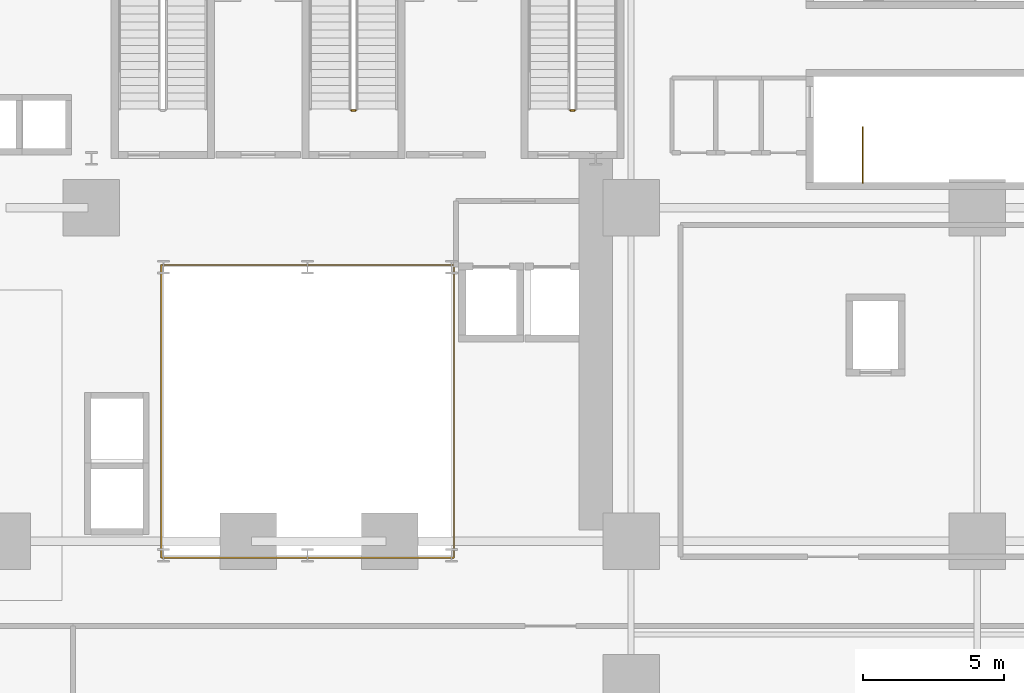
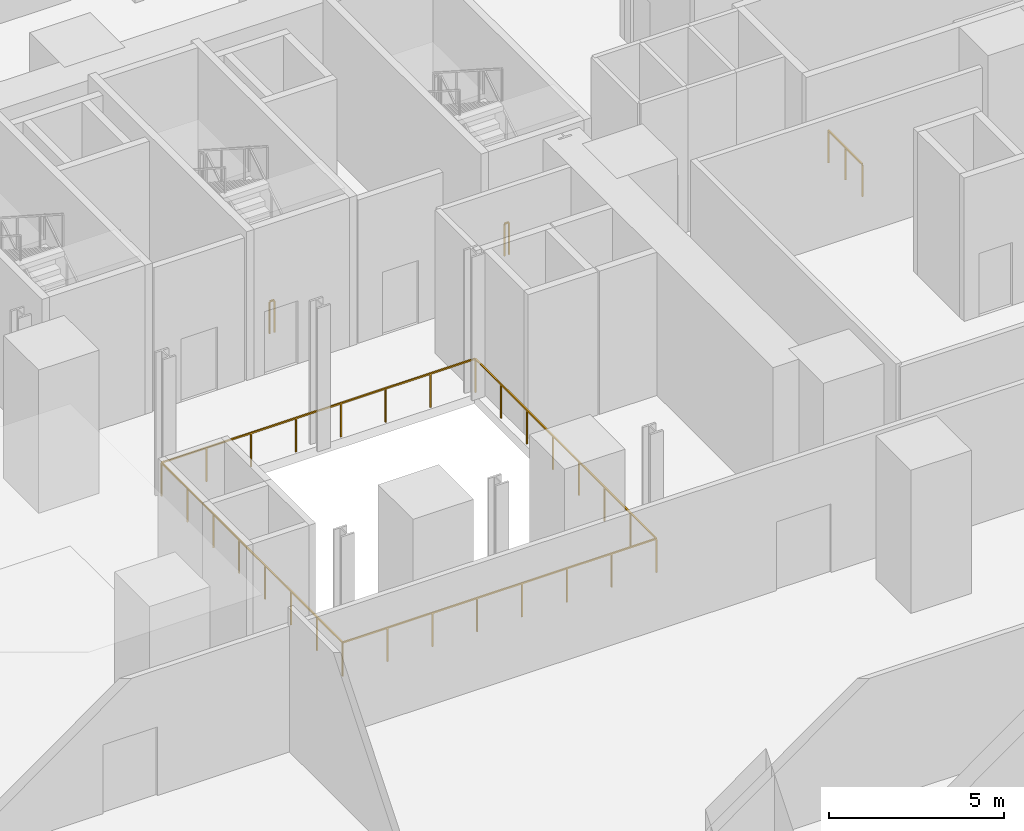
# One storey, part 13 of 15: 4 railings.
"""IFC4 building model written with IfcOpenShell, lengths in metres."""

from ifc_helpers import new_model, si_unit, direction, frame, origin, origin_2d, place, context, subcontext, project, spatial, rectangle, extrude, source, transform, mapped, material, type_object, element, save


model = new_model("IFC4")

# Units and contexts
model_context = context("Model", 3, precision=1e-05, world=origin(), true_north=direction((0.0, 1.0)))
body_context = subcontext(model_context, "Body", "Model", "MODEL_VIEW")
ifc_project = project(units=[si_unit("LENGTHUNIT", "METRE"), si_unit("AREAUNIT", "SQUARE_METRE"), si_unit("VOLUMEUNIT", "CUBIC_METRE"), si_unit("PLANEANGLEUNIT", "RADIAN"), si_unit("MASSUNIT", "GRAM", prefix="KILO")], contexts=[model_context])

# Site, building, storey
site_placement = place(None, origin())
site = spatial("IfcSite", under=ifc_project, at=site_placement, CompositionType="ELEMENT")
building_placement = place(site_placement, origin())
building = spatial("IfcBuilding", under=site, at=building_placement, Name="Vardaveli Station Tower", CompositionType="ELEMENT")
storey_placement = place(building_placement, frame((0.0, 0.0, 6.0)))
storey = spatial("IfcBuildingStorey", under=building, at=storey_placement, Name="L02", CompositionType="ELEMENT", Elevation=6.0)

# Railings
ifc_material_1 = material(Name="Brushed AISI 316 stainless steel", Category="steel")
railing_type_1 = type_object("IfcRailingType", Name="RL-GUARD-1150", PredefinedType="GUARDRAIL", material=ifc_material_1)
shared_shape_1 = source(origin(), body_context, "Body", "SweptSolid", [
    extrude(rectangle(XDim=0.048095703125, YDim=0.048095703125, at=origin_2d()), frame((0.0, 0.0, 1.1259765625), z_axis=(-1.0, 0.0, 0.0), x_axis=(0.0, -1.0, 0.0)), (0.0, 0.0, 1.0), 0.14990234375),
    extrude(rectangle(XDim=0.0419921875, YDim=0.0419921875, at=origin_2d()), origin(), (0.0, 0.0, 1.0), 1.101806640625),
    extrude(rectangle(XDim=0.0419921875, YDim=0.0419921875, at=origin_2d()), frame((-0.14990234375, 0.0, 0.0)), (0.0, 0.0, 1.0), 1.101806640625),
])
for number, where, name in (
    (1, (38.0, 32.35009765625, 0.0), "L02 ST-2 stair guard 4"),
    (2, (45.75, 32.35009765625, 0.0), "L02 ST-3 stair guard 4"),
):
    element("IfcRailing", number, at=place(storey_placement, frame(where)), inside=storey, type_object=railing_type_1, Name=name, PredefinedType="GUARDRAIL", context=body_context, shape_type="MappedRepresentation", body=[
        mapped(shared_shape_1, transform((0.0, 0.0, 0.0), scale=1.0)),
    ])
shared_shape_2 = source(origin(), body_context, "Body", "SweptSolid", [
    extrude(rectangle(XDim=0.048095703125, YDim=0.048095703125, at=origin_2d()), frame((0.0, 0.0, 1.1259765625), z_axis=(0.0, 1.0, 0.0), x_axis=(-1.0, 0.0, 0.0)), (0.0, 0.0, 1.0), 1.949951171875),
    extrude(rectangle(XDim=0.0419921875, YDim=0.0419921875, at=origin_2d()), origin(), (0.0, 0.0, 1.0), 1.101806640625),
    extrude(rectangle(XDim=0.0419921875, YDim=0.0419921875, at=origin_2d()), frame((0.0, 0.97509765625, 0.0)), (0.0, 0.0, 1.0), 1.101806640625),
    extrude(rectangle(XDim=0.0419921875, YDim=0.0419921875, at=origin_2d()), frame((0.0, 1.949951171875, 0.0)), (0.0, 0.0, 1.0), 1.101806640625),
])
railing_1_placement = place(storey_placement, frame((55.949951171875, 29.800048828125, 0.0)))
element("IfcRailing", 3, at=railing_1_placement, inside=storey, type_object=railing_type_1, Name="L02 ST-S2 top well guard 1", PredefinedType="GUARDRAIL", context=body_context, shape_type="MappedRepresentation", body=[
    mapped(shared_shape_2, transform((0.0, 0.0, 0.0), scale=1.0)),
])
ifc_material_2 = material(Name="Laminated glass and stainless steel balustrade", Category="steel")
railing_type_2 = type_object("IfcRailingType", Name="RL-BAL-1200", PredefinedType="BALUSTRADE", material=ifc_material_2)
shared_shape_3 = source(origin(), body_context, "Body", "SweptSolid", [
    extrude(rectangle(XDim=0.048095703125, YDim=0.048095703125, at=origin_2d()), frame((0.0, 0.0, 1.17578125), z_axis=(1.0, 0.0, 0.0), x_axis=(0.0, 1.0, 0.0)), (0.0, 0.0, 1.0), 10.35986328125),
    extrude(rectangle(XDim=0.048095703125, YDim=0.048095703125, at=origin_2d()), frame((10.35986328125, 0.0, 1.17578125), z_axis=(0.0, 1.0, 0.0), x_axis=(-1.0, 0.0, 0.0)), (0.0, 0.0, 1.0), 10.35986328125),
    extrude(rectangle(XDim=0.048095703125, YDim=0.048095703125, at=origin_2d()), frame((10.35986328125, 10.35986328125, 1.17578125), z_axis=(-1.0, 0.0, 0.0), x_axis=(0.0, -1.0, 0.0)), (0.0, 0.0, 1.0), 10.35986328125),
    extrude(rectangle(XDim=0.048095703125, YDim=0.048095703125, at=origin_2d()), frame((0.0, 10.35986328125, 1.17578125), z_axis=(0.0, -1.0, 0.0), x_axis=(1.0, 0.0, 0.0)), (0.0, 0.0, 1.0), 10.35986328125),
    extrude(rectangle(XDim=0.0419921875, YDim=0.0419921875, at=origin_2d()), origin(), (0.0, 0.0, 1.0), 1.15185546875),
    extrude(rectangle(XDim=0.0419921875, YDim=0.0419921875, at=origin_2d()), frame((1.47998046875, 0.0, 0.0)), (0.0, 0.0, 1.0), 1.15185546875),
    extrude(rectangle(XDim=0.0419921875, YDim=0.0419921875, at=origin_2d()), frame((2.9599609375, 0.0, 0.0)), (0.0, 0.0, 1.0), 1.15185546875),
    extrude(rectangle(XDim=0.0419921875, YDim=0.0419921875, at=origin_2d()), frame((4.43994140625, 0.0, 0.0)), (0.0, 0.0, 1.0), 1.15185546875),
    extrude(rectangle(XDim=0.0419921875, YDim=0.0419921875, at=origin_2d()), frame((5.919921875, 0.0, 0.0)), (0.0, 0.0, 1.0), 1.15185546875),
    extrude(rectangle(XDim=0.0419921875, YDim=0.0419921875, at=origin_2d()), frame((7.39990234375, 0.0, 0.0)), (0.0, 0.0, 1.0), 1.15185546875),
    extrude(rectangle(XDim=0.0419921875, YDim=0.0419921875, at=origin_2d()), frame((8.8798828125, 0.0, 0.0)), (0.0, 0.0, 1.0), 1.15185546875),
    extrude(rectangle(XDim=0.0419921875, YDim=0.0419921875, at=origin_2d()), frame((10.35986328125, 0.0, 0.0)), (0.0, 0.0, 1.0), 1.15185546875),
    extrude(rectangle(XDim=0.0419921875, YDim=0.0419921875, at=origin_2d()), frame((10.35986328125, 1.47998046875, 0.0)), (0.0, 0.0, 1.0), 1.15185546875),
    extrude(rectangle(XDim=0.0419921875, YDim=0.0419921875, at=origin_2d()), frame((10.35986328125, 2.9599609375, 0.0)), (0.0, 0.0, 1.0), 1.15185546875),
    extrude(rectangle(XDim=0.0419921875, YDim=0.0419921875, at=origin_2d()), frame((10.35986328125, 4.43994140625, 0.0)), (0.0, 0.0, 1.0), 1.15185546875),
    extrude(rectangle(XDim=0.0419921875, YDim=0.0419921875, at=origin_2d()), frame((10.35986328125, 5.919921875, 0.0)), (0.0, 0.0, 1.0), 1.15185546875),
    extrude(rectangle(XDim=0.0419921875, YDim=0.0419921875, at=origin_2d()), frame((10.35986328125, 7.39990234375, 0.0)), (0.0, 0.0, 1.0), 1.15185546875),
    extrude(rectangle(XDim=0.0419921875, YDim=0.0419921875, at=origin_2d()), frame((10.35986328125, 8.8798828125, 0.0)), (0.0, 0.0, 1.0), 1.15185546875),
    extrude(rectangle(XDim=0.0419921875, YDim=0.0419921875, at=origin_2d()), frame((10.35986328125, 10.35986328125, 0.0)), (0.0, 0.0, 1.0), 1.15185546875),
    extrude(rectangle(XDim=0.0419921875, YDim=0.0419921875, at=origin_2d()), frame((8.8798828125, 10.35986328125, 0.0)), (0.0, 0.0, 1.0), 1.15185546875),
    extrude(rectangle(XDim=0.0419921875, YDim=0.0419921875, at=origin_2d()), frame((7.39990234375, 10.35986328125, 0.0)), (0.0, 0.0, 1.0), 1.15185546875),
    extrude(rectangle(XDim=0.0419921875, YDim=0.0419921875, at=origin_2d()), frame((5.919921875, 10.35986328125, 0.0)), (0.0, 0.0, 1.0), 1.15185546875),
    extrude(rectangle(XDim=0.0419921875, YDim=0.0419921875, at=origin_2d()), frame((4.43994140625, 10.35986328125, 0.0)), (0.0, 0.0, 1.0), 1.15185546875),
    extrude(rectangle(XDim=0.0419921875, YDim=0.0419921875, at=origin_2d()), frame((2.9599609375, 10.35986328125, 0.0)), (0.0, 0.0, 1.0), 1.15185546875),
    extrude(rectangle(XDim=0.0419921875, YDim=0.0419921875, at=origin_2d()), frame((1.47998046875, 10.35986328125, 0.0)), (0.0, 0.0, 1.0), 1.15185546875),
    extrude(rectangle(XDim=0.0419921875, YDim=0.0419921875, at=origin_2d()), frame((0.0, 10.35986328125, 0.0)), (0.0, 0.0, 1.0), 1.15185546875),
    extrude(rectangle(XDim=0.0419921875, YDim=0.0419921875, at=origin_2d()), frame((0.0, 8.8798828125, 0.0)), (0.0, 0.0, 1.0), 1.15185546875),
    extrude(rectangle(XDim=0.0419921875, YDim=0.0419921875, at=origin_2d()), frame((0.0, 7.39990234375, 0.0)), (0.0, 0.0, 1.0), 1.15185546875),
    extrude(rectangle(XDim=0.0419921875, YDim=0.0419921875, at=origin_2d()), frame((0.0, 5.919921875, 0.0)), (0.0, 0.0, 1.0), 1.15185546875),
    extrude(rectangle(XDim=0.0419921875, YDim=0.0419921875, at=origin_2d()), frame((0.0, 4.43994140625, 0.0)), (0.0, 0.0, 1.0), 1.15185546875),
    extrude(rectangle(XDim=0.0419921875, YDim=0.0419921875, at=origin_2d()), frame((0.0, 2.9599609375, 0.0)), (0.0, 0.0, 1.0), 1.15185546875),
    extrude(rectangle(XDim=0.0419921875, YDim=0.0419921875, at=origin_2d()), frame((0.0, 1.47998046875, 0.0)), (0.0, 0.0, 1.0), 1.15185546875),
])
railing_2_placement = place(storey_placement, frame((31.1201171875, 16.52001953125, 0.0)))
element("IfcRailing", 4, at=railing_2_placement, inside=storey, type_object=railing_type_2, Name="RL-ATR-L02", PredefinedType="BALUSTRADE", context=body_context, shape_type="MappedRepresentation", body=[
    mapped(shared_shape_3, transform((0.0, 0.0, 0.0), scale=1.0)),
])

save(model, "model.ifc")
